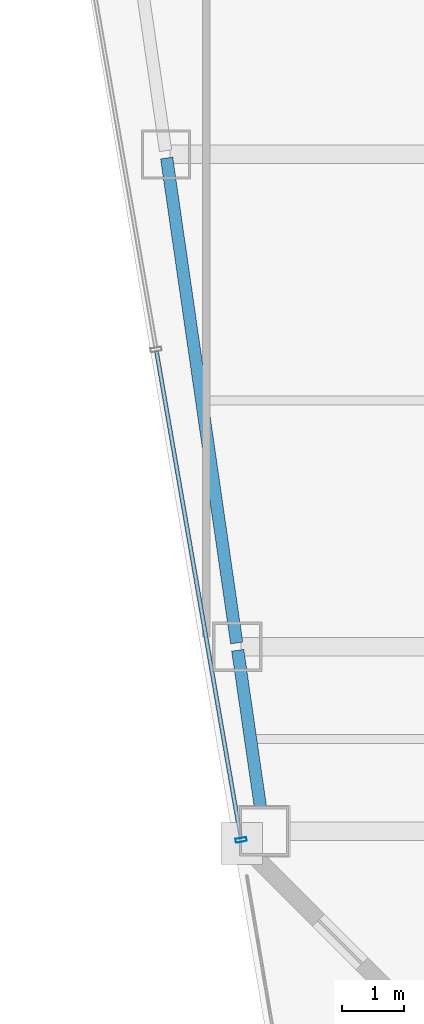
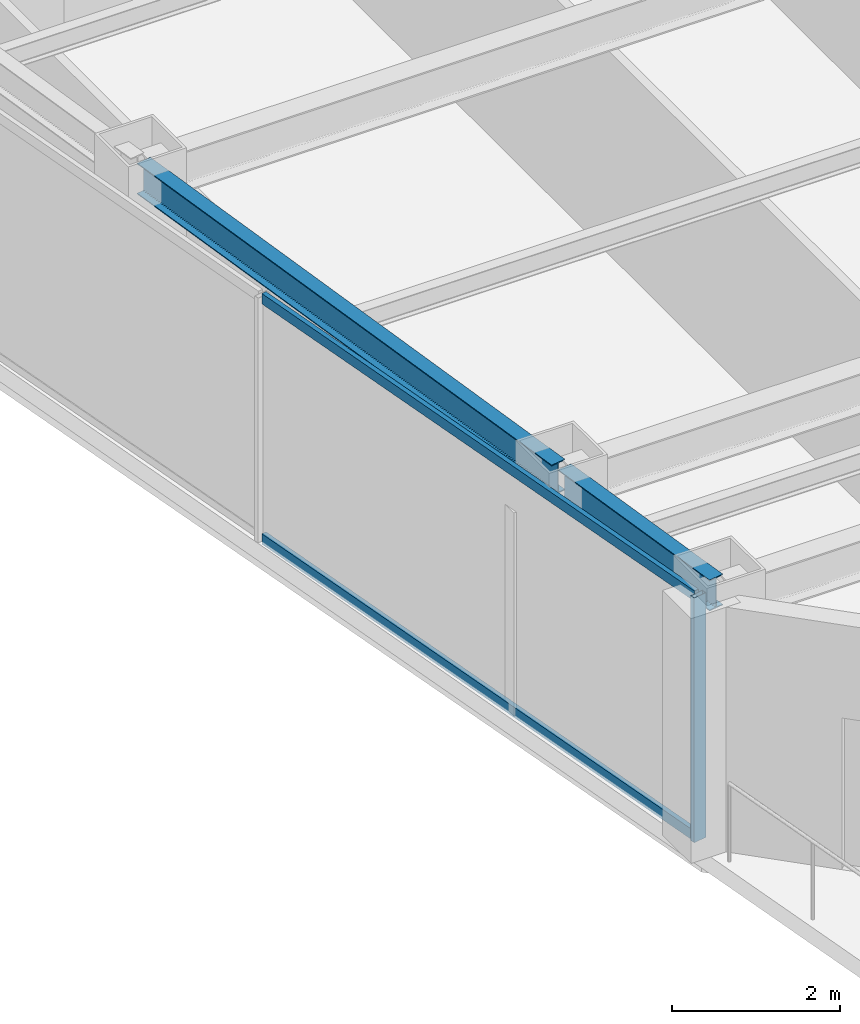
# One storey, part 3 of 31: 3 members, 2 beams, 1 element without a shape of its own.
"""IFC4 building model written with IfcOpenShell, lengths in metres."""

from ifc_helpers import new_model, si_unit, direction, frame, origin, origin_2d, place, context, subcontext, project, spatial, hollow_rectangle, i_section, extrude, material, material_profile, profile_set, type_object, element, aggregate, save


model = new_model("IFC4")

# Units and contexts
model_context = context("Model", 3, precision=1e-05, world=origin(), true_north=direction((0.0, 1.0)))
body_context = subcontext(model_context, "Body", "Model", "MODEL_VIEW")
ifc_project = project(units=[si_unit("LENGTHUNIT", "METRE"), si_unit("AREAUNIT", "SQUARE_METRE"), si_unit("VOLUMEUNIT", "CUBIC_METRE"), si_unit("PLANEANGLEUNIT", "RADIAN"), si_unit("MASSUNIT", "GRAM", prefix="KILO")], contexts=[model_context])

# Site, building, storey
site_placement = place(None, origin())
site = spatial("IfcSite", under=ifc_project, at=site_placement, CompositionType="ELEMENT")
building_placement = place(site_placement, origin())
building = spatial("IfcBuilding", under=site, at=building_placement, Name="Saevonmaru Cultural Tower", CompositionType="ELEMENT")
storey_placement = place(building_placement, frame((0.0, 0.0, 230.60009765625)))
storey = spatial("IfcBuildingStorey", under=building, at=storey_placement, Name="L53", CompositionType="ELEMENT", Elevation=230.60009765625)

# Beams
ifc_material_1 = material(Name="Steel SM355", Category="steel")
ifc_material_profile_1 = material_profile(ifc_material_1, i_section(OverallWidth=0.199951171875, OverallDepth=0.449951171875, WebThickness=0.009033203125, FlangeThickness=0.013916015625, FilletRadius=0.01806640625, at=origin_2d()), Name="H-450x200x9x14")
ifc_profile_set_1 = profile_set([ifc_material_profile_1], Name="Steel SM355")
beam_type = type_object("IfcBeamType", Name="BM-SP-H450", PredefinedType="SPANDREL", material=ifc_profile_set_1)
beam_1_placement = place(storey_placement, frame((9.8974609375, 21.059326171875, 3.324951171875), z_axis=(-0.143146955239, 0.98970144448, 0.0), x_axis=(-0.98970144448, -0.143146955239, 0.0)))
element("IfcBeam", 1, at=beam_1_placement, inside=storey, type_object=beam_type, Name="L53 West Splayed Spandrel 1", PredefinedType="SPANDREL", context=body_context, shape_type="SweptSolid", body=[
    extrude(i_section(OverallWidth=0.199951171875, OverallDepth=0.449951171875, WebThickness=0.009033203125, FlangeThickness=0.013916015625, FilletRadius=0.01806640625, at=origin_2d()), origin(), (0.0, 0.0, 1.0), 2.911376953125),
])
beam_2_placement = place(storey_placement, frame((9.46337890625, 24.059326171875, 3.324951171875), z_axis=(-0.142871999001, 0.989741174197, 0.0), x_axis=(-0.989741174197, -0.142871999001, 0.0)))
element("IfcBeam", 2, at=beam_2_placement, inside=storey, type_object=beam_type, Name="L53 West Splayed Spandrel 2", PredefinedType="SPANDREL", context=body_context, shape_type="SweptSolid", body=[
    extrude(i_section(OverallWidth=0.199951171875, OverallDepth=0.449951171875, WebThickness=0.009033203125, FlangeThickness=0.013916015625, FilletRadius=0.01806640625, at=origin_2d()), origin(), (0.0, 0.0, 1.0), 7.963134765625),
])

# Curtain wall, members
ifc_material_2 = material(Name="Satin Bronze Anodised Aluminium", Category="aluminium")
curtain_wall_type = type_object("IfcCurtainWallType", Name="CW-SKY-GLZ", PredefinedType="NOTDEFINED", material=ifc_material_2)
curtain_wall_placement = place(storey_placement, origin())
curtain_wall = element("IfcCurtainWall", 3, at=curtain_wall_placement, inside=storey, type_object=curtain_wall_type, Name="L53 Unitised Curtain Wall E12", PredefinedType="NOTDEFINED")
ifc_material_profile_2 = material_profile(ifc_material_2, hollow_rectangle(XDim=0.06494140625, YDim=0.179931640625, WallThickness=0.00390625, at=origin_2d()), Name="ALU-MULL-180x65x4")
ifc_profile_set_2 = profile_set([ifc_material_profile_2], Name="Satin Bronze Anodised Aluminium")
member_type_1 = type_object("IfcMemberType", Name="ML-CW-180x65", PredefinedType="MULLION", material=ifc_profile_set_2)
member_1_placement = place(storey_placement, frame((9.53662109375, 20.859130859375, 0.0), z_axis=(0.0, 0.0, 1.0), x_axis=(0.170790369887, -0.985307388359, 0.0)))
member_1 = element("IfcMember", 4, at=member_1_placement, type_object=member_type_1, Name="CW-TW-L53-E12 mullion 5", PredefinedType="MULLION", context=body_context, shape_type="SweptSolid", body=[
    extrude(hollow_rectangle(XDim=0.06494140625, YDim=0.179931640625, WallThickness=0.00390625, at=origin_2d()), origin(), (0.0, 0.0, 1.0), 3.5498046875),
])
ifc_material_profile_3 = material_profile(ifc_material_2, hollow_rectangle(XDim=0.06494140625, YDim=0.14990234375, WallThickness=0.00390625, at=origin_2d()), Name="ALU-TRAN-150x65x4")
ifc_profile_set_3 = profile_set([ifc_material_profile_3], Name="Satin Bronze Anodised Aluminium")
member_type_2 = type_object("IfcMemberType", Name="TR-CW-150x65", PredefinedType="USERDEFINED", material=ifc_profile_set_3)
member_2_placement = place(storey_placement, frame((8.160400390625, 28.797607421875, 0.032470703125), z_axis=(0.170804445888, -0.985304948361, 0.0), x_axis=(0.985304948361, 0.170804445888, 0.0)))
member_2 = element("IfcMember", 5, at=member_2_placement, type_object=member_type_2, Name="CW-TW-L53-E12 transom 4.1", ObjectType="TRANSOM", PredefinedType="USERDEFINED", context=body_context, shape_type="SweptSolid", body=[
    extrude(hollow_rectangle(XDim=0.06494140625, YDim=0.14990234375, WallThickness=0.00390625, at=origin_2d()), origin(), (0.0, 0.0, 1.0), 8.0244140625),
])
member_3_placement = place(storey_placement, frame((8.160400390625, 28.797607421875, 3.517333984375), z_axis=(0.170804445888, -0.985304948361, 0.0), x_axis=(0.985304948361, 0.170804445888, 0.0)))
member_3 = element("IfcMember", 6, at=member_3_placement, type_object=member_type_2, Name="CW-TW-L53-E12 transom 4.2", ObjectType="TRANSOM", PredefinedType="USERDEFINED", context=body_context, shape_type="SweptSolid", body=[
    extrude(hollow_rectangle(XDim=0.06494140625, YDim=0.14990234375, WallThickness=0.00390625, at=origin_2d()), origin(), (0.0, 0.0, 1.0), 8.0244140625),
])
aggregate(curtain_wall, [member_1, member_2, member_3])

save(model, "model.ifc")
